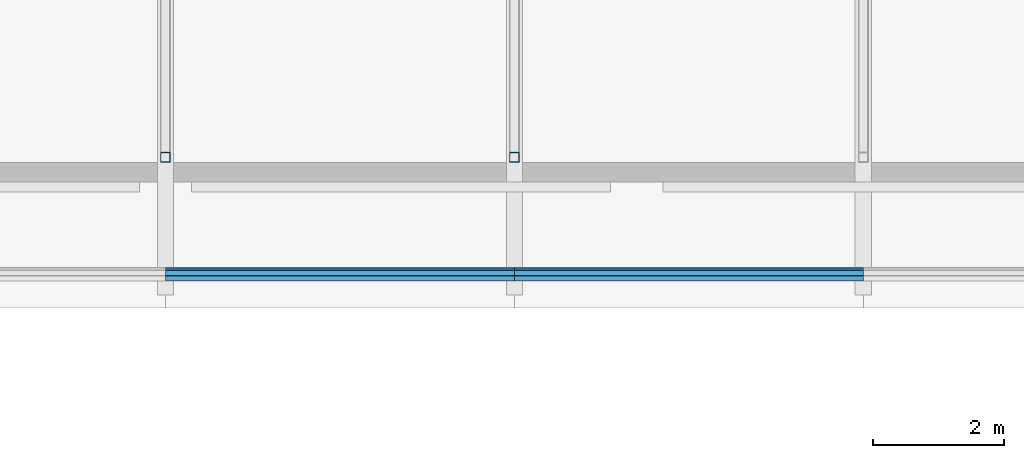
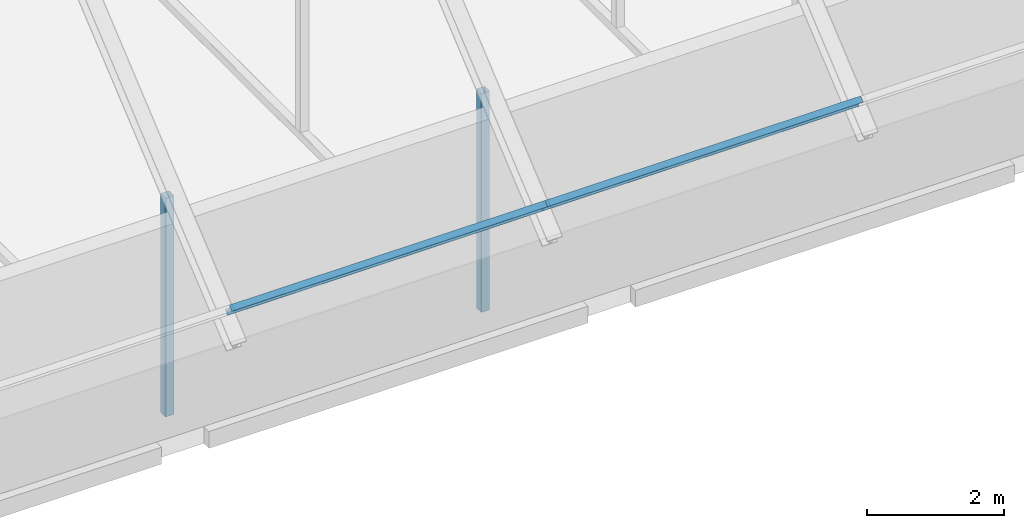
# One storey, part 2 of 29: 4 members.
"""IFC4 building model written with IfcOpenShell, lengths in metres."""

from ifc_helpers import new_model, si_unit, direction, frame, origin, origin_2d, place, context, subcontext, project, spatial, hollow_rectangle, i_section, extrude, material, material_profile, profile_set, type_object, element, save


model = new_model("IFC4")

# Units and contexts
model_context = context("Model", 3, precision=1e-05, world=origin(), true_north=direction((0.0, 1.0)))
body_context = subcontext(model_context, "Body", "Model", "MODEL_VIEW")
ifc_project = project(units=[si_unit("LENGTHUNIT", "METRE"), si_unit("AREAUNIT", "SQUARE_METRE"), si_unit("VOLUMEUNIT", "CUBIC_METRE"), si_unit("PLANEANGLEUNIT", "RADIAN"), si_unit("MASSUNIT", "GRAM", prefix="KILO")], contexts=[model_context])

# Site, building, storey
site_placement = place(None, origin())
site = spatial("IfcSite", under=ifc_project, at=site_placement, CompositionType="ELEMENT")
building_placement = place(site_placement, origin())
building = spatial("IfcBuilding", under=site, at=building_placement, Name="Silangan Lancet Faculty of Sciences", CompositionType="ELEMENT")
storey_placement = place(building_placement, frame((0.0, 0.0, 54.300048828125)))
storey = spatial("IfcBuildingStorey", under=building, at=storey_placement, Name="L11", CompositionType="ELEMENT", Elevation=54.300048828125)

# Members
ifc_material_1 = material(Name="Steel SS400", Category="steel")
ifc_material_profile_1 = material_profile(ifc_material_1, i_section(OverallWidth=0.10009765625, OverallDepth=0.199951171875, WebThickness=0.005615234375, FlangeThickness=0.008056640625, FilletRadius=0.008056640625, at=origin_2d()), Name="H 200x100x5.5x8")
ifc_profile_set_1 = profile_set([ifc_material_profile_1], Name="Steel SS400")
member_type_1 = type_object("IfcMemberType", Name="Sheeting purlin H 200x100x5.5x8", PredefinedType="PURLIN", material=ifc_profile_set_1)
for number, where, z_axis, x_axis, name in (
    (1, (7.199951171875, 34.43798828125, 3.071044921875), (1.0, 0.0, 0.0), (0.0, 0.765704867842, 0.64319208279), "Gable purlin 2S1"),
    (2, (12.53125, 34.43798828125, 3.071044921875), (1.0, 0.0, 0.0), (0.0, 0.765704867842, 0.64319208279), "Gable purlin 3S1"),
):
    element("IfcMember", number, at=place(storey_placement, frame(where, z_axis=z_axis, x_axis=x_axis)), inside=storey, type_object=member_type_1, Name=name, PredefinedType="PURLIN", context=body_context, shape_type="SweptSolid", body=[
        extrude(i_section(OverallWidth=0.10009765625, OverallDepth=0.199951171875, WebThickness=0.005615234375, FlangeThickness=0.008056640625, FilletRadius=0.008056640625, at=origin_2d()), origin(), (0.0, 0.0, 1.0), 5.331298828125),
    ])
ifc_material_2 = material(Name="Steel STKR400", Category="steel")
ifc_material_profile_2 = material_profile(ifc_material_2, hollow_rectangle(XDim=0.14990234375, YDim=0.14990234375, WallThickness=0.006103515625, InnerFilletRadius=0.006103515625, OuterFilletRadius=0.011962890625, at=origin_2d()), Name="SHS 150x150x6.0")
ifc_profile_set_2 = profile_set([ifc_material_profile_2], Name="Steel STKR400")
member_type_2 = type_object("IfcMemberType", Name="Truss post SHS 150x150x6.0", PredefinedType="POST", material=ifc_profile_set_2)
for number, where, z_axis, x_axis, name in (
    (3, (7.199951171875, 36.22509765625, 0.14990234375), (0.0, 0.0, 1.0), (1.0, 0.0, 0.0), "Gable truss 1 eave post S"),
    (4, (12.53125, 36.22509765625, 0.14990234375), (0.0, 0.0, 1.0), (1.0, 0.0, 0.0), "Gable truss 2 eave post S"),
):
    element("IfcMember", number, at=place(storey_placement, frame(where, z_axis=z_axis, x_axis=x_axis)), inside=storey, type_object=member_type_2, Name=name, PredefinedType="POST", context=body_context, shape_type="SweptSolid", body=[
        extrude(hollow_rectangle(XDim=0.14990234375, YDim=0.14990234375, WallThickness=0.006103515625, InnerFilletRadius=0.006103515625, OuterFilletRadius=0.011962890625, at=origin_2d()), origin(), (0.0, 0.0, 1.0), 3.902099609375),
    ])

save(model, "model.ifc")
